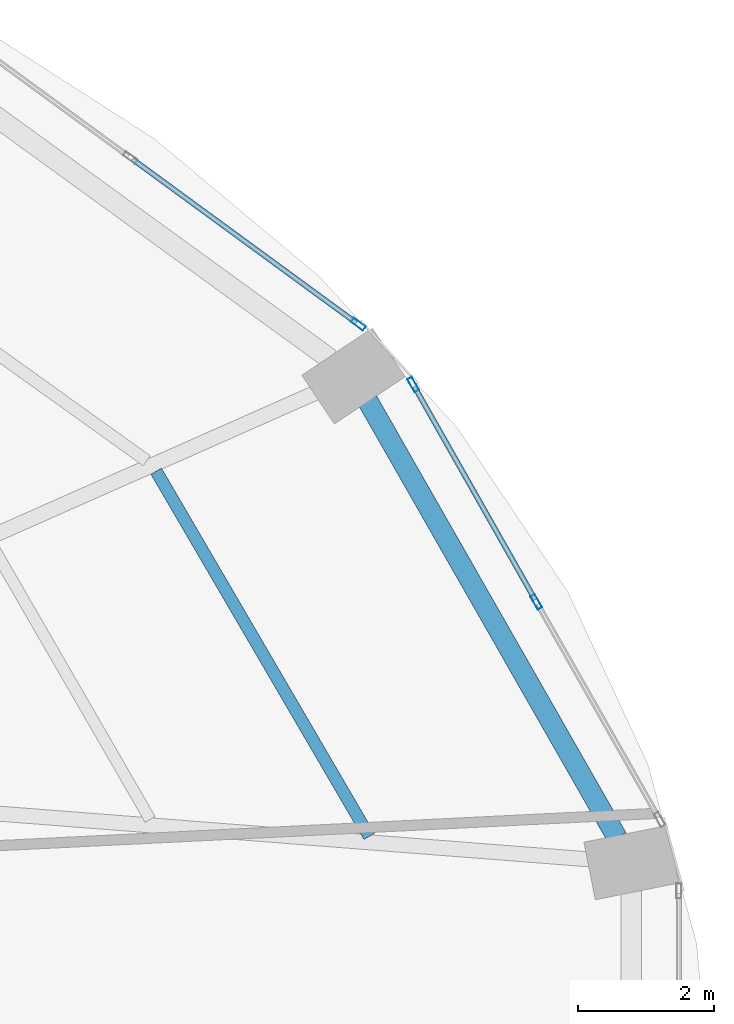
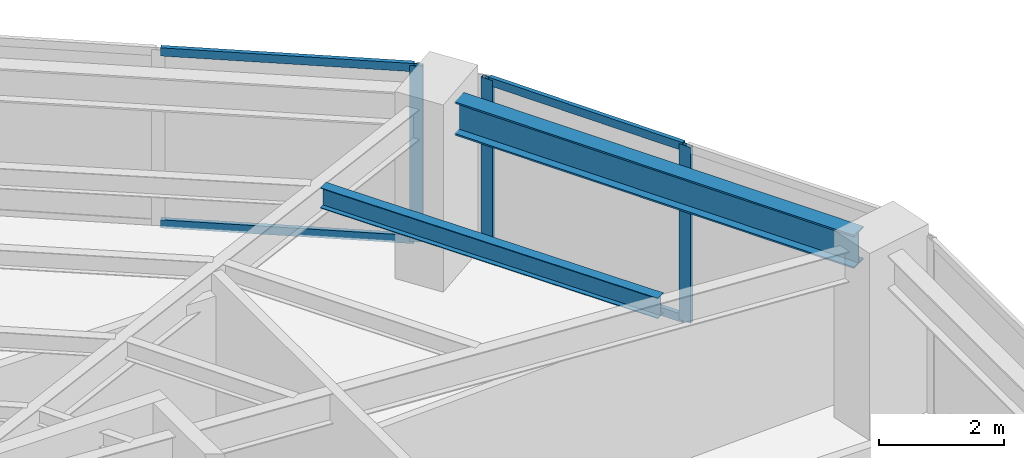
# One storey, part 18 of 24: 7 members, 2 beams, 2 elements without a shape of their own.
"""IFC4 building model written with IfcOpenShell, lengths in metres."""

import ifcopenshell
import ifcopenshell.guid

model = None  # the IFC model being written
_history = None  # IfcOwnerHistory: only IFC2X3 demands one
_inside = {}  # id of a spatial element -> (the spatial element, [elements in it])
_under = {}  # id of a project, library or spatial element -> (it, [spatial elements below it])
_declared = {}  # id of a project -> (the project, [libraries it declares])
_typed = {}  # id of a type object -> (the type object, [elements of that type])
_made_of = {}  # id of a material, layer set ... -> (it, [elements and type objects made of it])


def new_model(schema):
    """Start an empty IFC model of exactly this schema.

    Asked for "IFC4X3", IfcOpenShell would pick the latest addendum, in which some entities
    have other attributes; the version numbers below select the first issue.
    IFC2X3 requires an IfcOwnerHistory on every rooted entity: one is made here for all.
    """
    global model, _history
    if schema == "IFC4X3":
        model = ifcopenshell.file(schema_version=(4, 3, 0, 0))
    else:
        model = ifcopenshell.file(schema=schema)
    _inside.clear()
    _under.clear()
    _declared.clear()
    _typed.clear()
    _made_of.clear()
    _history = None
    if model.schema == "IFC2X3":
        org = make("IfcOrganization", Name="unknown")
        user = make(
            "IfcPersonAndOrganization",
            ThePerson=make("IfcPerson", FamilyName="unknown"),
            TheOrganization=org,
        )
        app = make(
            "IfcApplication",
            ApplicationDeveloper=org,
            Version="unknown",
            ApplicationFullName="unknown",
            ApplicationIdentifier="unknown",
        )
        _history = make(
            "IfcOwnerHistory",
            OwningUser=user,
            OwningApplication=app,
            ChangeAction="ADDED",
            CreationDate=0,
        )
    return model


def make(cls, **values):
    """One entity of the class cls with the attributes given. An attribute that is None is left unset."""
    return model.create_entity(
        cls, **{name: value for name, value in values.items() if value is not None}
    )


def rooted(cls, **values):
    """An entity with a GlobalId (a new one), such as an element, a storey or a relation."""
    return make(cls, GlobalId=ifcopenshell.guid.new(), OwnerHistory=_history, **values)


def si_unit(unit_type, name, prefix=None):
    """IfcSIUnit, for example si_unit("LENGTHUNIT", "METRE", prefix="MILLI")."""
    return make("IfcSIUnit", UnitType=unit_type, Prefix=prefix, Name=name)


def assignment(units):
    """IfcUnitAssignment: the units of a project."""
    return None if units is None else make("IfcUnitAssignment", Units=units)


def point(xyz):
    """IfcCartesianPoint."""
    return None if xyz is None else make("IfcCartesianPoint", Coordinates=xyz)


def direction(xyz):
    """IfcDirection."""
    return None if xyz is None else make("IfcDirection", DirectionRatios=xyz)


def frame(location, z_axis=None, x_axis=None):
    """IfcAxis2Placement3D, a coordinate frame: its origin and axes. An axis left out is left unset."""
    return make(
        "IfcAxis2Placement3D",
        Location=point(location),
        Axis=direction(z_axis),
        RefDirection=direction(x_axis),
    )


def frame_2d(location, x_axis=None):
    """IfcAxis2Placement2D, a coordinate frame in the plane: its origin and x axis."""
    return make(
        "IfcAxis2Placement2D", Location=point(location), RefDirection=direction(x_axis)
    )


def origin():
    """The frame at (0, 0, 0) with its axes left unset."""
    return frame((0.0, 0.0, 0.0))


def origin_2d():
    """The frame at (0, 0) in the plane with its x axis left unset."""
    return frame_2d((0.0, 0.0))


def place(relative_to, where):
    """IfcLocalPlacement: puts the frame where relative to a parent placement (None: the world)."""
    return make(
        "IfcLocalPlacement", PlacementRelTo=relative_to, RelativePlacement=where
    )


def context(
    kind, dimensions, precision=None, world=None, true_north=None, identifier=None
):
    """IfcGeometricRepresentationContext, for example the 3D "Model" context."""
    return make(
        "IfcGeometricRepresentationContext",
        ContextIdentifier=identifier,
        ContextType=kind,
        CoordinateSpaceDimension=dimensions,
        Precision=precision,
        WorldCoordinateSystem=world,
        TrueNorth=true_north,
    )


def subcontext(parent, identifier, kind, view, scale=None):
    """IfcGeometricRepresentationSubContext, for example "Body" below "Model"."""
    return make(
        "IfcGeometricRepresentationSubContext",
        ContextIdentifier=identifier,
        ContextType=kind,
        ParentContext=parent,
        TargetScale=scale,
        TargetView=view,
    )


def project(units=None, contexts=None):
    """IfcProject with its units and contexts."""
    return rooted(
        "IfcProject",
        Name="project",
        RepresentationContexts=contexts,
        UnitsInContext=assignment(units),
    )


def spatial(cls, under=None, at=None, **own):
    """A site, building, storey or space (cls), placed at a placement, below another one or the project."""
    s = rooted(cls, ObjectPlacement=at, **own)
    if under is not None:
        _under.setdefault(under.id(), (under, []))[1].append(s)
    return s


def profile(cls, at=None, kind="AREA", **sizes):
    """A parametric profile (cls). Its sizes go by their IFC names, for example OverallWidth=200.0."""
    return make(cls, ProfileType=kind, Position=at, **sizes)


def hollow_rectangle(**sizes):
    """IfcRectangleHollowProfileDef."""
    return profile("IfcRectangleHollowProfileDef", **sizes)


def i_section(**sizes):
    """IfcIShapeProfileDef."""
    return profile("IfcIShapeProfileDef", **sizes)


def extrude(swept, where, along, depth):
    """IfcExtrudedAreaSolid: the profile swept, set in the frame where, extruded along a direction by depth."""
    return make(
        "IfcExtrudedAreaSolid",
        SweptArea=swept,
        Position=where,
        ExtrudedDirection=direction(along),
        Depth=depth,
    )


def shape(context_of_items, identifier, shape_type, items):
    """IfcShapeRepresentation: the items that make up one representation, for example the "Body"."""
    return make(
        "IfcShapeRepresentation",
        ContextOfItems=context_of_items,
        RepresentationIdentifier=identifier,
        RepresentationType=shape_type,
        Items=items,
    )


def material(Name=None, Category=None):
    """IfcMaterial."""
    return make("IfcMaterial", Name=Name, Category=Category)


def layer(
    of_material, thickness, ventilated=None, Name=None, Category=None, Priority=None
):
    """IfcMaterialLayer: one layer of a wall or slab, of a material (None: an air gap)."""
    return make(
        "IfcMaterialLayer",
        Material=of_material,
        LayerThickness=thickness,
        IsVentilated=ventilated,
        Name=Name,
        Category=Category,
        Priority=Priority,
    )


def layer_set(layers, Name=None):
    """IfcMaterialLayerSet."""
    return make("IfcMaterialLayerSet", MaterialLayers=layers, LayerSetName=Name)


def material_profile(
    of_material, cross_section, Name=None, Category=None, Priority=None
):
    """IfcMaterialProfile: a cross section and its material."""
    return make(
        "IfcMaterialProfile",
        Name=Name,
        Material=of_material,
        Profile=cross_section,
        Priority=Priority,
        Category=Category,
    )


def profile_set(profiles, Name=None, composite=None):
    """IfcMaterialProfileSet."""
    return make(
        "IfcMaterialProfileSet",
        Name=Name,
        MaterialProfiles=profiles,
        CompositeProfile=composite,
    )


def made_of(thing, what):
    """Note that an element or type object is made of a material, layer set ...; save() writes the relation."""
    if what is not None:
        _made_of.setdefault(what.id(), (what, []))[1].append(thing)
    return thing


def type_object(cls, material=None, **own):
    """A type object (cls), such as IfcWallType, which elements share."""
    return made_of(rooted(cls, **own), material)


def element(
    cls,
    number,
    at=None,
    inside=None,
    cuts=None,
    type_object=None,
    material=None,
    context=None,
    identifier="Body",
    shape_type=None,
    held_by="IfcProductDefinitionShape",
    body=None,
    shapes=None,
    **own,
):
    """One element of the class cls, such as IfcWall. Its Tag is "e" and its number.

    at: its placement. inside: the storey or other place that contains it. cuts: it is an
    opening in that element (IfcRelVoidsElement). A single representation is given by context,
    identifier, shape_type and body (its items); several are given by shapes. held_by: the class
    of the entity that holds the representations. save() writes the other relations.
    """
    e = rooted(cls, Tag="e%d" % number, ObjectPlacement=at, **own)
    if body is not None:
        shapes = [shape(context, identifier, shape_type, body)]
    if shapes is not None:
        e.Representation = make(held_by, Representations=shapes)
    if inside is not None:
        _inside.setdefault(inside.id(), (inside, []))[1].append(e)
    if cuts is not None:
        rooted(
            "IfcRelVoidsElement", RelatingBuildingElement=cuts, RelatedOpeningElement=e
        )
    if type_object is not None:
        _typed.setdefault(type_object.id(), (type_object, []))[1].append(e)
    return made_of(e, material)


def aggregate(whole, parts):
    """IfcRelAggregates: a whole, such as a stair, and the parts it consists of."""
    return rooted("IfcRelAggregates", RelatingObject=whole, RelatedObjects=parts)


def save(model, path):
    """Write the relations noted so far, then the file.

    IfcRelAggregates (storeys below a building ...), IfcRelContainedInSpatialStructure (elements
    in a storey), IfcRelDefinesByType, IfcRelAssociatesMaterial and IfcRelDeclares: one each for
    every whole, place, type object, material and project.
    """
    for whole, parts in _under.values():
        aggregate(whole, parts)
    for where, things in _inside.values():
        rooted(
            "IfcRelContainedInSpatialStructure",
            RelatedElements=things,
            RelatingStructure=where,
        )
    for kind, things in _typed.values():
        rooted("IfcRelDefinesByType", RelatedObjects=things, RelatingType=kind)
    for what, things in _made_of.values():
        rooted("IfcRelAssociatesMaterial", RelatedObjects=things, RelatingMaterial=what)
    for by, libraries in _declared.values():
        rooted("IfcRelDeclares", RelatingContext=by, RelatedDefinitions=libraries)
    model.write(path)


model = new_model("IFC4")

# Units and contexts
model_context = context("Model", 3, precision=1e-05, world=origin(), true_north=direction((0.0, 1.0)))
body_context = subcontext(model_context, "Body", "Model", "MODEL_VIEW")
ifc_project = project(units=[si_unit("LENGTHUNIT", "METRE"), si_unit("AREAUNIT", "SQUARE_METRE"), si_unit("VOLUMEUNIT", "CUBIC_METRE"), si_unit("PLANEANGLEUNIT", "RADIAN"), si_unit("MASSUNIT", "GRAM", prefix="KILO")], contexts=[model_context])

# Site, building, storey
site_placement = place(None, origin())
site = spatial("IfcSite", under=ifc_project, at=site_placement, CompositionType="ELEMENT")
building_placement = place(site_placement, origin())
building = spatial("IfcBuilding", under=site, at=building_placement, Name="Lazwardi Medical Tower", CompositionType="ELEMENT")
storey_placement = place(building_placement, frame((0.0, 0.0, 58.031982421875)))
storey = spatial("IfcBuildingStorey", under=building, at=storey_placement, Name="L14", CompositionType="ELEMENT", Elevation=58.031982421875)

# Beams
ifc_material_1 = material(Name="Steel S355", Category="steel")
ifc_material_profile_1 = material_profile(ifc_material_1, i_section(OverallWidth=0.300048828125, OverallDepth=0.64990234375, WebThickness=0.01611328125, FlangeThickness=0.031005859375, at=origin_2d()), Name="HEB 650")
ifc_profile_set_1 = profile_set([ifc_material_profile_1], Name="Steel S355")
beam_type_1 = type_object("IfcBeamType", Name="BM-RB-Z1", PredefinedType="BEAM", material=ifc_profile_set_1)
beam_1_placement = place(storey_placement, frame((62.591796875, 34.63232421875, 3.10302734375), z_axis=(-0.49581512241, 0.868428099724, 0.0), x_axis=(-0.868428099724, -0.49581512241, 0.0)))
element("IfcBeam", 1, at=beam_1_placement, inside=storey, type_object=beam_type_1, Name="Ring beam RB-02 B05 L14", PredefinedType="BEAM", context=body_context, shape_type="SweptSolid", body=[
    extrude(i_section(OverallWidth=0.300048828125, OverallDepth=0.64990234375, WebThickness=0.01611328125, FlangeThickness=0.031005859375, at=origin_2d()), origin(), (0.0, 0.0, 1.0), 7.389404296875),
])
ifc_material_profile_2 = material_profile(ifc_material_1, i_section(OverallWidth=0.179931640625, OverallDepth=0.39990234375, WebThickness=0.008544921875, FlangeThickness=0.013427734375, at=origin_2d()), Name="IPE 400")
ifc_profile_set_2 = profile_set([ifc_material_profile_2], Name="Steel S355")
beam_type_2 = type_object("IfcBeamType", Name="BM-SJ-01", PredefinedType="JOIST", material=ifc_profile_set_2)
beam_2_placement = place(storey_placement, frame((58.951171875, 34.65234375, 3.22802734375), z_axis=(-0.503846579557, 0.863793160582, 0.0), x_axis=(-0.863793160582, -0.503846579557, 0.0)))
element("IfcBeam", 2, at=beam_2_placement, inside=storey, type_object=beam_type_2, Name="Secondary joist SJ-01 R1 B05 L14", PredefinedType="JOIST", context=body_context, shape_type="SweptSolid", body=[
    extrude(i_section(OverallWidth=0.179931640625, OverallDepth=0.39990234375, WebThickness=0.008544921875, FlangeThickness=0.013427734375, at=origin_2d()), origin(), (0.0, 0.0, 1.0), 6.20947265625),
])

# Curtain wall, members
ifc_material_2 = material(Name="Anodised bronze aluminium and solar control glazing", Category="aluminium")
ifc_layer = layer(ifc_material_2, 0.199951171875)
ifc_layer_set = layer_set([ifc_layer], Name="Anodised bronze aluminium and solar control glazing")
curtain_wall_type = type_object("IfcCurtainWallType", Name="CW-SYS-02", PredefinedType="NOTDEFINED", material=ifc_layer_set)
curtain_wall_1_placement = place(storey_placement, origin())
curtain_wall_1 = element("IfcCurtainWall", 3, at=curtain_wall_1_placement, inside=storey, type_object=curtain_wall_type, Name="L14 Unitised bronze curtain wall CW-02", PredefinedType="NOTDEFINED")
ifc_material_3 = material(Name="Anodised bronze aluminium", Category="aluminium")
ifc_material_profile_3 = material_profile(ifc_material_3, hollow_rectangle(XDim=0.074951171875, YDim=0.219970703125, WallThickness=0.00390625, at=origin_2d()), Name="ALU-MULLION 220x75x4")
ifc_profile_set_3 = profile_set([ifc_material_profile_3], Name="Anodised bronze aluminium")
member_type_1 = type_object("IfcMemberType", Name="CW-MUL-01", PredefinedType="MULLION", material=ifc_profile_set_3)
member_1_placement = place(storey_placement, frame((61.4052734375, 38.095458984375, 0.0), z_axis=(0.0, 0.0, 1.0), x_axis=(-0.870111838823, -0.492854327303, 0.0)))
member_1 = element("IfcMember", 4, at=member_1_placement, type_object=member_type_1, Name="CW-02 mullion 2", PredefinedType="MULLION", context=body_context, shape_type="SweptSolid", body=[
    extrude(hollow_rectangle(XDim=0.074951171875, YDim=0.219970703125, WallThickness=0.00390625, at=origin_2d()), origin(), (0.0, 0.0, 1.0), 3.427978515625),
])
member_2_placement = place(storey_placement, frame((59.5966796875, 41.28857421875, 0.0), z_axis=(0.0, 0.0, 1.0), x_axis=(-0.870111838823, -0.492854327303, 0.0)))
member_2 = element("IfcMember", 5, at=member_2_placement, type_object=member_type_1, Name="CW-02 mullion 3", PredefinedType="MULLION", context=body_context, shape_type="SweptSolid", body=[
    extrude(hollow_rectangle(XDim=0.074951171875, YDim=0.219970703125, WallThickness=0.00390625, at=origin_2d()), origin(), (0.0, 0.0, 1.0), 3.427978515625),
])

# Curtain wall, member
curtain_wall_2_placement = place(storey_placement, origin())
curtain_wall_2 = element("IfcCurtainWall", 6, at=curtain_wall_2_placement, inside=storey, type_object=curtain_wall_type, Name="L14 Unitised bronze curtain wall CW-02", PredefinedType="NOTDEFINED")
member_3_placement = place(storey_placement, frame((58.790283203125, 42.172607421875, 0.0), z_axis=(0.0, 0.0, 1.0), x_axis=(-0.590289307341, -0.807191757663, 0.0)))
member_3 = element("IfcMember", 7, at=member_3_placement, type_object=member_type_1, Name="CW-02 mullion 1", PredefinedType="MULLION", context=body_context, shape_type="SweptSolid", body=[
    extrude(hollow_rectangle(XDim=0.074951171875, YDim=0.219970703125, WallThickness=0.00390625, at=origin_2d()), origin(), (0.0, 0.0, 1.0), 3.427978515625),
])

# Member
ifc_material_profile_4 = material_profile(ifc_material_3, hollow_rectangle(XDim=0.074951171875, YDim=0.159912109375, WallThickness=0.00390625, at=origin_2d()), Name="ALU-TRANSOM 160x75x4")
ifc_profile_set_4 = profile_set([ifc_material_profile_4], Name="Anodised bronze aluminium")
member_type_2 = type_object("IfcMemberType", Name="CW-TRN-01", PredefinedType="USERDEFINED", material=ifc_profile_set_4)
member_4_placement = place(storey_placement, frame((61.386962890625, 38.128173828125, 0.03759765625), z_axis=(-0.492880614687, 0.870096948429, 0.0), x_axis=(-0.870096948429, -0.492880614687, 0.0)))
member_4 = element("IfcMember", 8, at=member_4_placement, type_object=member_type_2, Name="CW-02 transom 2.1", ObjectType="TRANSOM", PredefinedType="USERDEFINED", context=body_context, shape_type="SweptSolid", body=[
    extrude(hollow_rectangle(XDim=0.074951171875, YDim=0.159912109375, WallThickness=0.00390625, at=origin_2d()), origin(), (0.0, 0.0, 1.0), 3.5947265625),
])

member_5_placement = place(storey_placement, frame((61.386962890625, 38.128173828125, 3.390625), z_axis=(-0.492880614687, 0.870096948429, 0.0), x_axis=(-0.870096948429, -0.492880614687, 0.0)))
member_5 = element("IfcMember", 9, at=member_5_placement, type_object=member_type_2, Name="CW-02 transom 2.2", ObjectType="TRANSOM", PredefinedType="USERDEFINED", context=body_context, shape_type="SweptSolid", body=[
    extrude(hollow_rectangle(XDim=0.074951171875, YDim=0.159912109375, WallThickness=0.00390625, at=origin_2d()), origin(), (0.0, 0.0, 1.0), 3.5947265625),
])

aggregate(curtain_wall_1, [member_1, member_2, member_4, member_5])

member_6_placement = place(storey_placement, frame((58.760009765625, 42.194580078125, 0.03759765625), z_axis=(-0.807189956199, 0.590291770748, 0.0), x_axis=(-0.590291770748, -0.807189956199, 0.0)))
member_6 = element("IfcMember", 10, at=member_6_placement, type_object=member_type_2, Name="CW-02 transom 1.1", ObjectType="TRANSOM", PredefinedType="USERDEFINED", context=body_context, shape_type="SweptSolid", body=[
    extrude(hollow_rectangle(XDim=0.074951171875, YDim=0.159912109375, WallThickness=0.00390625, at=origin_2d()), origin(), (0.0, 0.0, 1.0), 4.070068359375),
])

member_7_placement = place(storey_placement, frame((58.760009765625, 42.194580078125, 3.390625), z_axis=(-0.807189956199, 0.590291770748, 0.0), x_axis=(-0.590291770748, -0.807189956199, 0.0)))
member_7 = element("IfcMember", 11, at=member_7_placement, type_object=member_type_2, Name="CW-02 transom 1.2", ObjectType="TRANSOM", PredefinedType="USERDEFINED", context=body_context, shape_type="SweptSolid", body=[
    extrude(hollow_rectangle(XDim=0.074951171875, YDim=0.159912109375, WallThickness=0.00390625, at=origin_2d()), origin(), (0.0, 0.0, 1.0), 4.070068359375),
])

aggregate(curtain_wall_2, [member_3, member_6, member_7])

save(model, "model.ifc")
